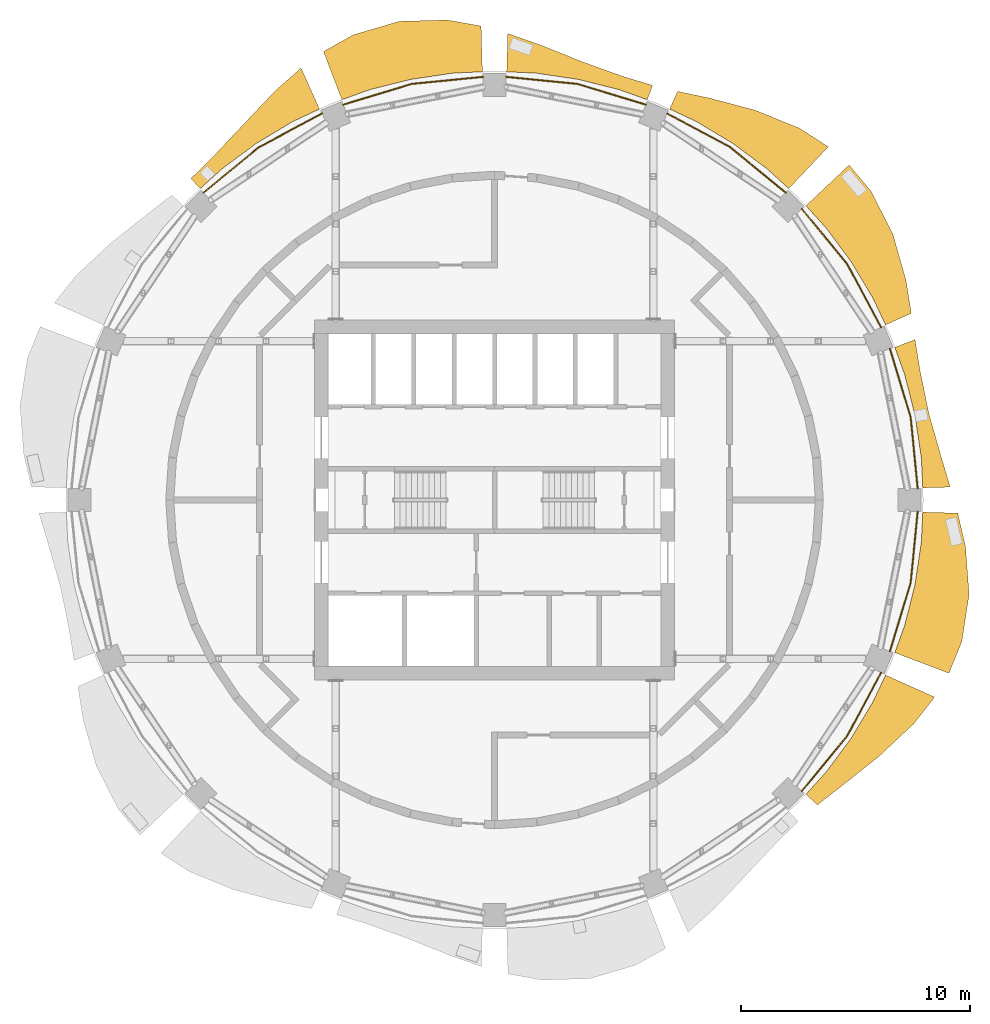
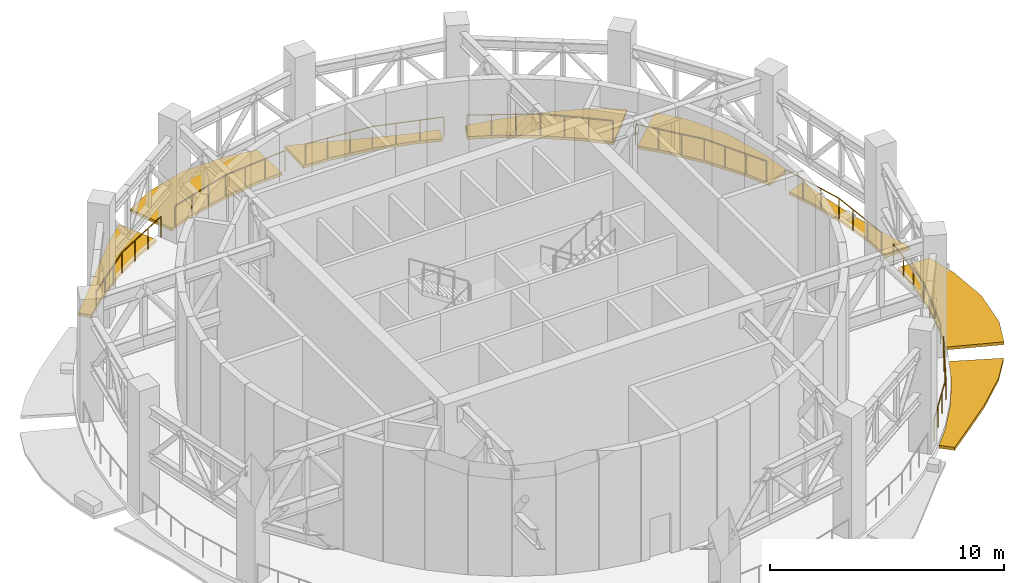
# One storey, part 13 of 14: 8 railings, 8 shading devices.
"""IFC4 building model written with IfcOpenShell, lengths in metres."""

from ifc_helpers import new_model, si_unit, direction, frame, origin, origin_2d, place, context, subcontext, project, spatial, polyline, circle, outline, extrude, material, type_object, element, save


model = new_model("IFC4")

# Units and contexts
model_context = context("Model", 3, precision=1e-05, world=origin(), true_north=direction((0.0, 1.0)))
body_context = subcontext(model_context, "Body", "Model", "MODEL_VIEW")
ifc_project = project(units=[si_unit("LENGTHUNIT", "METRE"), si_unit("AREAUNIT", "SQUARE_METRE"), si_unit("VOLUMEUNIT", "CUBIC_METRE"), si_unit("PLANEANGLEUNIT", "RADIAN"), si_unit("MASSUNIT", "GRAM", prefix="KILO")], contexts=[model_context])

# Site, building, storey
site_placement = place(None, origin())
site = spatial("IfcSite", under=ifc_project, at=site_placement, CompositionType="ELEMENT")
building_placement = place(site_placement, origin())
building = spatial("IfcBuilding", under=site, at=building_placement, Name="Polderwave Tower", CompositionType="ELEMENT")
storey_placement = place(building_placement, frame((0.0, 0.0, 161.14990234375)))
storey = spatial("IfcBuildingStorey", under=building, at=storey_placement, Name="L43", CompositionType="ELEMENT", Elevation=161.14990234375)

# Shading devices
ifc_material_1 = material(Name="Terracotta", Category="masonry")
shading_device_type = type_object("IfcShadingDeviceType", Name="Terracotta sunshade band", PredefinedType="USERDEFINED", material=ifc_material_1)
shading_device_1_placement = place(storey_placement, frame((0.0, 0.0, -0.349853515625)))
element("IfcShadingDevice", 1, at=shading_device_1_placement, inside=storey, type_object=shading_device_type, Name="Sunshade band L43 1", ObjectType="SUNSHADE", PredefinedType="USERDEFINED", context=body_context, shape_type="SweptSolid", body=[
    extrude(outline(polyline([(18.723876953125, 0.530517578125), (18.65966796875, 1.837890625), (18.3896484375, 3.657958984375), (17.942626953125, 5.44287109375), (17.501708984375, 6.67529296875), (18.385009765625, 7.01220703125), (18.607177734375, 5.644287109375), (18.989501953125, 3.777099609375), (19.51708984375, 1.92236328125), (19.923583984375, 0.564453125), (18.723876953125, 0.530517578125)])), origin(), (0.0, 0.0, 1.0), 0.14990234375),
])
shading_device_2_placement = place(storey_placement, frame((0.0, 0.0, -0.349853515625)))
element("IfcShadingDevice", 2, at=shading_device_2_placement, inside=storey, type_object=shading_device_type, Name="Sunshade band L43 2", ObjectType="SUNSHADE", PredefinedType="USERDEFINED", context=body_context, shape_type="SweptSolid", body=[
    extrude(outline(polyline([(17.095703125, 7.655517578125), (16.535888671875, 8.838623046875), (15.590087890625, 10.4169921875), (14.493896484375, 11.89501953125), (13.614990234375, 12.86474609375), (15.502685546875, 14.648681640625), (16.45751953125, 13.50634765625), (17.4130859375, 11.635009765625), (17.987060546875, 9.6142578125), (18.22265625, 8.159912109375), (17.095703125, 7.655517578125)])), origin(), (0.0, 0.0, 1.0), 0.14990234375),
])
shading_device_3_placement = place(storey_placement, frame((0.0, 0.0, -0.349853515625)))
element("IfcShadingDevice", 3, at=shading_device_3_placement, inside=storey, type_object=shading_device_type, Name="Sunshade band L43 3", ObjectType="SUNSHADE", PredefinedType="USERDEFINED", context=body_context, shape_type="SweptSolid", body=[
    extrude(outline(polyline([(12.86474609375, 13.614990234375), (11.89501953125, 14.493896484375), (10.4169921875, 15.590087890625), (8.838623046875, 16.535888671875), (7.655517578125, 17.095703125), (8.00048828125, 17.8662109375), (9.39306640625, 17.572998046875), (11.389404296875, 17.045654296875), (13.337890625, 16.252197265625), (14.593017578125, 15.444091796875), (12.86474609375, 13.614990234375)])), origin(), (0.0, 0.0, 1.0), 0.14990234375),
])
shading_device_4_placement = place(storey_placement, frame((0.0, 0.0, -0.349853515625)))
element("IfcShadingDevice", 4, at=shading_device_4_placement, inside=storey, type_object=shading_device_type, Name="Sunshade band L43 4", ObjectType="SUNSHADE", PredefinedType="USERDEFINED", context=body_context, shape_type="SweptSolid", body=[
    extrude(outline(polyline([(6.67529296875, 17.501708984375), (5.44287109375, 17.942626953125), (3.657958984375, 18.3896484375), (1.837890625, 18.65966796875), (0.530517578125, 18.723876953125), (0.577880859375, 20.394775390625), (1.961181640625, 19.9130859375), (3.81298828125, 19.1689453125), (5.6171875, 18.517822265625), (6.913818359375, 18.126708984375), (6.67529296875, 17.501708984375)])), origin(), (0.0, 0.0, 1.0), 0.14990234375),
])
shading_device_5_placement = place(storey_placement, frame((0.0, 0.0, -0.349853515625)))
element("IfcShadingDevice", 5, at=shading_device_5_placement, inside=storey, type_object=shading_device_type, Name="Sunshade band L43 5", ObjectType="SUNSHADE", PredefinedType="USERDEFINED", context=body_context, shape_type="SweptSolid", body=[
    extrude(outline(polyline([(-0.530517578125, 18.723876953125), (-1.837890625, 18.65966796875), (-3.657958984375, 18.3896484375), (-5.44287109375, 17.942626953125), (-6.67529296875, 17.501708984375), (-7.478759765625, 19.6083984375), (-6.170166015625, 20.34033203125), (-4.1630859375, 20.9287109375), (-2.06689453125, 20.98681640625), (-0.587158203125, 20.72314453125), (-0.530517578125, 18.723876953125)])), origin(), (0.0, 0.0, 1.0), 0.14990234375),
])
shading_device_6_placement = place(storey_placement, frame((0.0, 0.0, -0.349853515625)))
element("IfcShadingDevice", 6, at=shading_device_6_placement, inside=storey, type_object=shading_device_type, Name="Sunshade band L43 6", ObjectType="SUNSHADE", PredefinedType="USERDEFINED", context=body_context, shape_type="SweptSolid", body=[
    extrude(outline(polyline([(-7.655517578125, 17.095703125), (-8.838623046875, 16.535888671875), (-10.4169921875, 15.590087890625), (-11.89501953125, 14.493896484375), (-12.86474609375, 13.614990234375), (-13.278564453125, 14.052978515625), (-12.3134765625, 15.00390625), (-10.9765625, 16.427734375), (-9.571533203125, 17.9072265625), (-8.45849609375, 18.889404296875), (-7.655517578125, 17.095703125)])), origin(), (0.0, 0.0, 1.0), 0.14990234375),
])
shading_device_7_placement = place(storey_placement, frame((0.0, 0.0, -0.349853515625)))
element("IfcShadingDevice", 7, at=shading_device_7_placement, inside=storey, type_object=shading_device_type, Name="Sunshade band L43 15", ObjectType="SUNSHADE", PredefinedType="USERDEFINED", context=body_context, shape_type="SweptSolid", body=[
    extrude(outline(polyline([(13.614990234375, -12.86474609375), (14.493896484375, -11.89501953125), (15.590087890625, -10.4169921875), (16.535888671875, -8.838623046875), (17.095703125, -7.655517578125), (19.245849609375, -8.6181640625), (18.321044921875, -9.792724609375), (16.795166015625, -11.22216796875), (15.20947265625, -12.482177734375), (14.11181640625, -13.334228515625), (13.614990234375, -12.86474609375)])), origin(), (0.0, 0.0, 1.0), 0.14990234375),
])
shading_device_8_placement = place(storey_placement, frame((0.0, 0.0, -0.349853515625)))
element("IfcShadingDevice", 8, at=shading_device_8_placement, inside=storey, type_object=shading_device_type, Name="Sunshade band L43 16", ObjectType="SUNSHADE", PredefinedType="USERDEFINED", context=body_context, shape_type="SweptSolid", body=[
    extrude(outline(polyline([(17.501708984375, -6.67529296875), (17.942626953125, -5.44287109375), (18.3896484375, -3.657958984375), (18.65966796875, -1.837890625), (18.723876953125, -0.530517578125), (20.251708984375, -0.57373046875), (20.5908203125, -2.028076171875), (20.7490234375, -4.127197265625), (20.4296875, -6.197265625), (19.866455078125, -7.5771484375), (17.501708984375, -6.67529296875)])), origin(), (0.0, 0.0, 1.0), 0.14990234375),
])

# Railings
ifc_material_2 = material(Name="Stainless steel 316", Category="steel")
railing_type = type_object("IfcRailingType", Name="Wind floor guard 1100", PredefinedType="GUARDRAIL", material=ifc_material_2)
railing_1_placement = place(storey_placement, frame((18.500732421875, 0.5, 0.0)))
element("IfcRailing", 9, at=railing_1_placement, inside=storey, type_object=railing_type, Name="Wind floor guard L43 1", PredefinedType="GUARDRAIL", context=body_context, shape_type="SweptSolid", body=[
    extrude(circle(Radius=0.02490234375, at=origin_2d()), frame((0.0, 0.0, 1.0751953125), z_axis=(-0.097999574358, 0.995186456613, 0.0), x_axis=(-0.995186456613, -0.097999574358, 0.0)), (0.0, 0.0, 1.0), 3.134033203125),
    extrude(circle(Radius=0.02490234375, at=origin_2d()), frame((-0.30712890625, 3.118896484375, 1.0751953125), z_axis=(-0.290333851442, 0.956925417526, 0.0), x_axis=(-0.956925417526, -0.290333851442, 0.0)), (0.0, 0.0, 1.0), 3.134033203125),
    extrude(circle(Radius=0.02001953125, at=origin_2d()), origin(), (0.0, 0.0, 1.0), 1.050048828125),
    extrude(circle(Radius=0.02001953125, at=origin_2d()), frame((-0.102294921875, 1.03955078125, 0.0)), (0.0, 0.0, 1.0), 1.050048828125),
    extrude(circle(Radius=0.02001953125, at=origin_2d()), frame((-0.204833984375, 2.079345703125, 0.0)), (0.0, 0.0, 1.0), 1.050048828125),
    extrude(circle(Radius=0.02001953125, at=origin_2d()), frame((-0.30712890625, 3.118896484375, 0.0)), (0.0, 0.0, 1.0), 1.050048828125),
    extrude(circle(Radius=0.02001953125, at=origin_2d()), frame((-0.6103515625, 4.11865234375, 0.0)), (0.0, 0.0, 1.0), 1.050048828125),
    extrude(circle(Radius=0.02001953125, at=origin_2d()), frame((-0.913818359375, 5.1181640625, 0.0)), (0.0, 0.0, 1.0), 1.050048828125),
    extrude(circle(Radius=0.02001953125, at=origin_2d()), frame((-1.217041015625, 6.117919921875, 0.0)), (0.0, 0.0, 1.0), 1.050048828125),
])
railing_2_placement = place(storey_placement, frame((16.901123046875, 7.5419921875, 0.0)))
element("IfcRailing", 10, at=railing_2_placement, inside=storey, type_object=railing_type, Name="Wind floor guard L43 2", PredefinedType="GUARDRAIL", context=body_context, shape_type="SweptSolid", body=[
    extrude(circle(Radius=0.02490234375, at=origin_2d()), frame((0.0, 0.0, 1.0751953125), z_axis=(-0.471384584046, 0.881927760037, 0.0), x_axis=(-0.881927760037, -0.471384584046, 0.0)), (0.0, 0.0, 1.0), 3.134033203125),
    extrude(circle(Radius=0.02490234375, at=origin_2d()), frame((-1.477294921875, 2.763916015625, 1.0751953125), z_axis=(-0.634412106208, 0.772995006127, 0.0), x_axis=(-0.772995006127, -0.634412106208, 0.0)), (0.0, 0.0, 1.0), 3.134033203125),
    extrude(circle(Radius=0.02001953125, at=origin_2d()), origin(), (0.0, 0.0, 1.0), 1.050048828125),
    extrude(circle(Radius=0.02001953125, at=origin_2d()), frame((-0.492431640625, 0.92138671875, 0.0)), (0.0, 0.0, 1.0), 1.050048828125),
    extrude(circle(Radius=0.02001953125, at=origin_2d()), frame((-0.98486328125, 1.842529296875, 0.0)), (0.0, 0.0, 1.0), 1.050048828125),
    extrude(circle(Radius=0.02001953125, at=origin_2d()), frame((-1.477294921875, 2.763916015625, 0.0)), (0.0, 0.0, 1.0), 1.050048828125),
    extrude(circle(Radius=0.02001953125, at=origin_2d()), frame((-2.14013671875, 3.571533203125, 0.0)), (0.0, 0.0, 1.0), 1.050048828125),
    extrude(circle(Radius=0.02001953125, at=origin_2d()), frame((-2.802734375, 4.37890625, 0.0)), (0.0, 0.0, 1.0), 1.050048828125),
    extrude(circle(Radius=0.02001953125, at=origin_2d()), frame((-3.465576171875, 5.1865234375, 0.0)), (0.0, 0.0, 1.0), 1.050048828125),
])
railing_3_placement = place(storey_placement, frame((12.728515625, 13.435546875, 0.0)))
element("IfcRailing", 11, at=railing_3_placement, inside=storey, type_object=railing_type, Name="Wind floor guard L43 3", PredefinedType="GUARDRAIL", context=body_context, shape_type="SweptSolid", body=[
    extrude(circle(Radius=0.02490234375, at=origin_2d()), frame((0.0, 0.0, 1.0751953125), z_axis=(-0.772995006127, 0.634412106208, 0.0), x_axis=(-0.634412106208, -0.772995006127, 0.0)), (0.0, 0.0, 1.0), 3.134033203125),
    extrude(circle(Radius=0.02490234375, at=origin_2d()), frame((-2.422607421875, 1.98828125, 1.0751953125), z_axis=(-0.881927760037, 0.471384584046, 0.0), x_axis=(-0.471384584046, -0.881927760037, 0.0)), (0.0, 0.0, 1.0), 3.134033203125),
    extrude(circle(Radius=0.02001953125, at=origin_2d()), origin(), (0.0, 0.0, 1.0), 1.050048828125),
    extrude(circle(Radius=0.02001953125, at=origin_2d()), frame((-0.8076171875, 0.662841796875, 0.0)), (0.0, 0.0, 1.0), 1.050048828125),
    extrude(circle(Radius=0.02001953125, at=origin_2d()), frame((-1.614990234375, 1.325439453125, 0.0)), (0.0, 0.0, 1.0), 1.050048828125),
    extrude(circle(Radius=0.02001953125, at=origin_2d()), frame((-2.422607421875, 1.98828125, 0.0)), (0.0, 0.0, 1.0), 1.050048828125),
    extrude(circle(Radius=0.02001953125, at=origin_2d()), frame((-3.343994140625, 2.480712890625, 0.0)), (0.0, 0.0, 1.0), 1.050048828125),
    extrude(circle(Radius=0.02001953125, at=origin_2d()), frame((-4.26513671875, 2.97314453125, 0.0)), (0.0, 0.0, 1.0), 1.050048828125),
    extrude(circle(Radius=0.02001953125, at=origin_2d()), frame((-5.1865234375, 3.465576171875, 0.0)), (0.0, 0.0, 1.0), 1.050048828125),
])
railing_4_placement = place(storey_placement, frame((6.617919921875, 17.28369140625, 0.0)))
element("IfcRailing", 12, at=railing_4_placement, inside=storey, type_object=railing_type, Name="Wind floor guard L43 4", PredefinedType="GUARDRAIL", context=body_context, shape_type="SweptSolid", body=[
    extrude(circle(Radius=0.02490234375, at=origin_2d()), frame((0.0, 0.0, 1.0751953125), z_axis=(-0.956925417526, 0.290333851442, 0.0), x_axis=(-0.290333851442, -0.956925417526, 0.0)), (0.0, 0.0, 1.0), 3.134033203125),
    extrude(circle(Radius=0.02490234375, at=origin_2d()), frame((-2.9990234375, 0.909912109375, 1.0751953125), z_axis=(-0.995186456613, 0.097999574358, 0.0), x_axis=(-0.097999574358, -0.995186456613, 0.0)), (0.0, 0.0, 1.0), 3.134033203125),
    extrude(circle(Radius=0.02001953125, at=origin_2d()), origin(), (0.0, 0.0, 1.0), 1.050048828125),
    extrude(circle(Radius=0.02001953125, at=origin_2d()), frame((-0.999755859375, 0.30322265625, 0.0)), (0.0, 0.0, 1.0), 1.050048828125),
    extrude(circle(Radius=0.02001953125, at=origin_2d()), frame((-1.999267578125, 0.606689453125, 0.0)), (0.0, 0.0, 1.0), 1.050048828125),
    extrude(circle(Radius=0.02001953125, at=origin_2d()), frame((-2.9990234375, 0.909912109375, 0.0)), (0.0, 0.0, 1.0), 1.050048828125),
    extrude(circle(Radius=0.02001953125, at=origin_2d()), frame((-4.03857421875, 1.01220703125, 0.0)), (0.0, 0.0, 1.0), 1.050048828125),
    extrude(circle(Radius=0.02001953125, at=origin_2d()), frame((-5.078369140625, 1.11474609375, 0.0)), (0.0, 0.0, 1.0), 1.050048828125),
    extrude(circle(Radius=0.02001953125, at=origin_2d()), frame((-6.117919921875, 1.217041015625, 0.0)), (0.0, 0.0, 1.0), 1.050048828125),
])
railing_5_placement = place(storey_placement, frame((-0.5, 18.500732421875, 0.0)))
element("IfcRailing", 13, at=railing_5_placement, inside=storey, type_object=railing_type, Name="Wind floor guard L43 5", PredefinedType="GUARDRAIL", context=body_context, shape_type="SweptSolid", body=[
    extrude(circle(Radius=0.02490234375, at=origin_2d()), frame((0.0, 0.0, 1.0751953125), z_axis=(-0.995186456613, -0.097999574358, 0.0), x_axis=(0.097999574358, -0.995186456613, 0.0)), (0.0, 0.0, 1.0), 3.134033203125),
    extrude(circle(Radius=0.02490234375, at=origin_2d()), frame((-3.118896484375, -0.30712890625, 1.0751953125), z_axis=(-0.956925417526, -0.290333851442, 0.0), x_axis=(0.290333851442, -0.956925417526, 0.0)), (0.0, 0.0, 1.0), 3.134033203125),
    extrude(circle(Radius=0.02001953125, at=origin_2d()), origin(), (0.0, 0.0, 1.0), 1.050048828125),
    extrude(circle(Radius=0.02001953125, at=origin_2d()), frame((-1.03955078125, -0.102294921875, 0.0)), (0.0, 0.0, 1.0), 1.050048828125),
    extrude(circle(Radius=0.02001953125, at=origin_2d()), frame((-2.079345703125, -0.204833984375, 0.0)), (0.0, 0.0, 1.0), 1.050048828125),
    extrude(circle(Radius=0.02001953125, at=origin_2d()), frame((-3.118896484375, -0.30712890625, 0.0)), (0.0, 0.0, 1.0), 1.050048828125),
    extrude(circle(Radius=0.02001953125, at=origin_2d()), frame((-4.11865234375, -0.6103515625, 0.0)), (0.0, 0.0, 1.0), 1.050048828125),
    extrude(circle(Radius=0.02001953125, at=origin_2d()), frame((-5.1181640625, -0.913818359375, 0.0)), (0.0, 0.0, 1.0), 1.050048828125),
    extrude(circle(Radius=0.02001953125, at=origin_2d()), frame((-6.117919921875, -1.217041015625, 0.0)), (0.0, 0.0, 1.0), 1.050048828125),
])
railing_6_placement = place(storey_placement, frame((-7.5419921875, 16.901123046875, 0.0)))
element("IfcRailing", 14, at=railing_6_placement, inside=storey, type_object=railing_type, Name="Wind floor guard L43 6", PredefinedType="GUARDRAIL", context=body_context, shape_type="SweptSolid", body=[
    extrude(circle(Radius=0.02490234375, at=origin_2d()), frame((0.0, 0.0, 1.0751953125), z_axis=(-0.881927760037, -0.471384584046, 0.0), x_axis=(0.471384584046, -0.881927760037, 0.0)), (0.0, 0.0, 1.0), 3.134033203125),
    extrude(circle(Radius=0.02490234375, at=origin_2d()), frame((-2.763916015625, -1.477294921875, 1.0751953125), z_axis=(-0.772995006127, -0.634412106208, 0.0), x_axis=(0.634412106208, -0.772995006127, 0.0)), (0.0, 0.0, 1.0), 3.134033203125),
    extrude(circle(Radius=0.02001953125, at=origin_2d()), origin(), (0.0, 0.0, 1.0), 1.050048828125),
    extrude(circle(Radius=0.02001953125, at=origin_2d()), frame((-0.92138671875, -0.492431640625, 0.0)), (0.0, 0.0, 1.0), 1.050048828125),
    extrude(circle(Radius=0.02001953125, at=origin_2d()), frame((-1.842529296875, -0.98486328125, 0.0)), (0.0, 0.0, 1.0), 1.050048828125),
    extrude(circle(Radius=0.02001953125, at=origin_2d()), frame((-2.763916015625, -1.477294921875, 0.0)), (0.0, 0.0, 1.0), 1.050048828125),
    extrude(circle(Radius=0.02001953125, at=origin_2d()), frame((-3.571533203125, -2.14013671875, 0.0)), (0.0, 0.0, 1.0), 1.050048828125),
    extrude(circle(Radius=0.02001953125, at=origin_2d()), frame((-4.37890625, -2.802734375, 0.0)), (0.0, 0.0, 1.0), 1.050048828125),
    extrude(circle(Radius=0.02001953125, at=origin_2d()), frame((-5.1865234375, -3.465576171875, 0.0)), (0.0, 0.0, 1.0), 1.050048828125),
])
railing_7_placement = place(storey_placement, frame((13.435546875, -12.728515625, 0.0)))
element("IfcRailing", 15, at=railing_7_placement, inside=storey, type_object=railing_type, Name="Wind floor guard L43 15", PredefinedType="GUARDRAIL", context=body_context, shape_type="SweptSolid", body=[
    extrude(circle(Radius=0.02490234375, at=origin_2d()), frame((0.0, 0.0, 1.0751953125), z_axis=(0.634412106208, 0.772995006127, 0.0), x_axis=(-0.772995006127, 0.634412106208, 0.0)), (0.0, 0.0, 1.0), 3.134033203125),
    extrude(circle(Radius=0.02490234375, at=origin_2d()), frame((1.98828125, 2.422607421875, 1.0751953125), z_axis=(0.471384584046, 0.881927760037, 0.0), x_axis=(-0.881927760037, 0.471384584046, 0.0)), (0.0, 0.0, 1.0), 3.134033203125),
    extrude(circle(Radius=0.02001953125, at=origin_2d()), origin(), (0.0, 0.0, 1.0), 1.050048828125),
    extrude(circle(Radius=0.02001953125, at=origin_2d()), frame((0.662841796875, 0.8076171875, 0.0)), (0.0, 0.0, 1.0), 1.050048828125),
    extrude(circle(Radius=0.02001953125, at=origin_2d()), frame((1.325439453125, 1.614990234375, 0.0)), (0.0, 0.0, 1.0), 1.050048828125),
    extrude(circle(Radius=0.02001953125, at=origin_2d()), frame((1.98828125, 2.422607421875, 0.0)), (0.0, 0.0, 1.0), 1.050048828125),
    extrude(circle(Radius=0.02001953125, at=origin_2d()), frame((2.480712890625, 3.343994140625, 0.0)), (0.0, 0.0, 1.0), 1.050048828125),
    extrude(circle(Radius=0.02001953125, at=origin_2d()), frame((2.97314453125, 4.26513671875, 0.0)), (0.0, 0.0, 1.0), 1.050048828125),
    extrude(circle(Radius=0.02001953125, at=origin_2d()), frame((3.465576171875, 5.1865234375, 0.0)), (0.0, 0.0, 1.0), 1.050048828125),
])
railing_8_placement = place(storey_placement, frame((17.28369140625, -6.617919921875, 0.0)))
element("IfcRailing", 16, at=railing_8_placement, inside=storey, type_object=railing_type, Name="Wind floor guard L43 16", PredefinedType="GUARDRAIL", context=body_context, shape_type="SweptSolid", body=[
    extrude(circle(Radius=0.02490234375, at=origin_2d()), frame((0.0, 0.0, 1.0751953125), z_axis=(0.290333851442, 0.956925417526, 0.0), x_axis=(-0.956925417526, 0.290333851442, 0.0)), (0.0, 0.0, 1.0), 3.134033203125),
    extrude(circle(Radius=0.02490234375, at=origin_2d()), frame((0.909912109375, 2.9990234375, 1.0751953125), z_axis=(0.097999574358, 0.995186456613, 0.0), x_axis=(-0.995186456613, 0.097999574358, 0.0)), (0.0, 0.0, 1.0), 3.134033203125),
    extrude(circle(Radius=0.02001953125, at=origin_2d()), origin(), (0.0, 0.0, 1.0), 1.050048828125),
    extrude(circle(Radius=0.02001953125, at=origin_2d()), frame((0.30322265625, 0.999755859375, 0.0)), (0.0, 0.0, 1.0), 1.050048828125),
    extrude(circle(Radius=0.02001953125, at=origin_2d()), frame((0.606689453125, 1.999267578125, 0.0)), (0.0, 0.0, 1.0), 1.050048828125),
    extrude(circle(Radius=0.02001953125, at=origin_2d()), frame((0.909912109375, 2.9990234375, 0.0)), (0.0, 0.0, 1.0), 1.050048828125),
    extrude(circle(Radius=0.02001953125, at=origin_2d()), frame((1.01220703125, 4.03857421875, 0.0)), (0.0, 0.0, 1.0), 1.050048828125),
    extrude(circle(Radius=0.02001953125, at=origin_2d()), frame((1.11474609375, 5.078369140625, 0.0)), (0.0, 0.0, 1.0), 1.050048828125),
    extrude(circle(Radius=0.02001953125, at=origin_2d()), frame((1.217041015625, 6.117919921875, 0.0)), (0.0, 0.0, 1.0), 1.050048828125),
])

save(model, "model.ifc")
